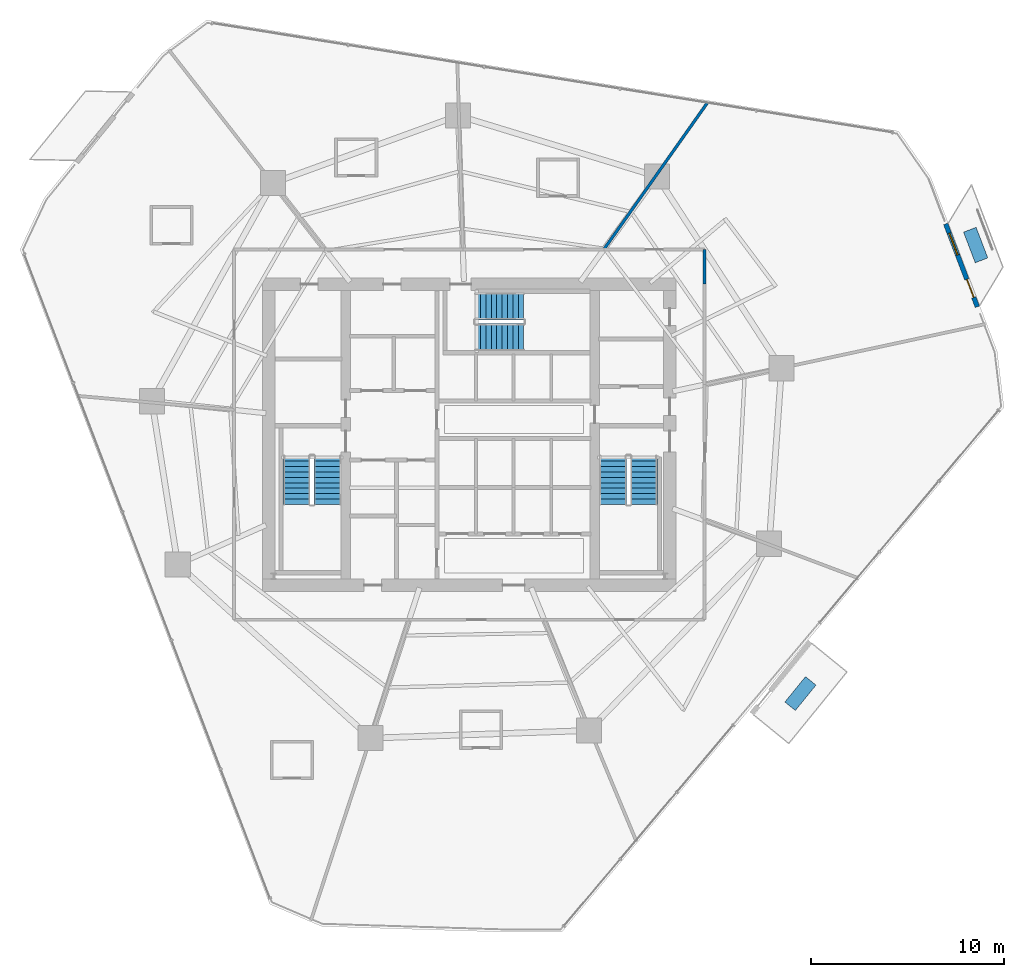
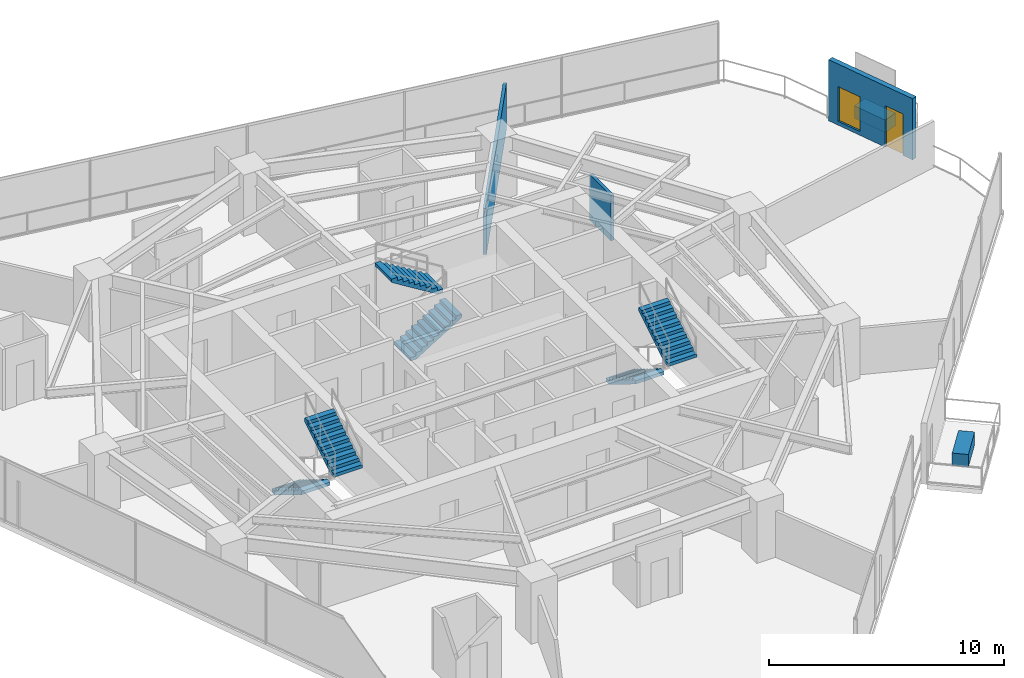
# One storey, part 27 of 31: 6 stair flights, 3 walls, 2 discrete accessories, 1 door, 1 window, 2 openings, 3 elements without a shape of their own.
"""IFC4 building model written with IfcOpenShell, lengths in metres."""

import ifcopenshell
import ifcopenshell.guid

model = None  # the IFC model being written
_history = None  # IfcOwnerHistory: only IFC2X3 demands one
_inside = {}  # id of a spatial element -> (the spatial element, [elements in it])
_under = {}  # id of a project, library or spatial element -> (it, [spatial elements below it])
_declared = {}  # id of a project -> (the project, [libraries it declares])
_typed = {}  # id of a type object -> (the type object, [elements of that type])
_made_of = {}  # id of a material, layer set ... -> (it, [elements and type objects made of it])


def new_model(schema):
    """Start an empty IFC model of exactly this schema.

    Asked for "IFC4X3", IfcOpenShell would pick the latest addendum, in which some entities
    have other attributes; the version numbers below select the first issue.
    IFC2X3 requires an IfcOwnerHistory on every rooted entity: one is made here for all.
    """
    global model, _history
    if schema == "IFC4X3":
        model = ifcopenshell.file(schema_version=(4, 3, 0, 0))
    else:
        model = ifcopenshell.file(schema=schema)
    _inside.clear()
    _under.clear()
    _declared.clear()
    _typed.clear()
    _made_of.clear()
    _history = None
    if model.schema == "IFC2X3":
        org = make("IfcOrganization", Name="unknown")
        user = make(
            "IfcPersonAndOrganization",
            ThePerson=make("IfcPerson", FamilyName="unknown"),
            TheOrganization=org,
        )
        app = make(
            "IfcApplication",
            ApplicationDeveloper=org,
            Version="unknown",
            ApplicationFullName="unknown",
            ApplicationIdentifier="unknown",
        )
        _history = make(
            "IfcOwnerHistory",
            OwningUser=user,
            OwningApplication=app,
            ChangeAction="ADDED",
            CreationDate=0,
        )
    return model


def make(cls, **values):
    """One entity of the class cls with the attributes given. An attribute that is None is left unset."""
    return model.create_entity(
        cls, **{name: value for name, value in values.items() if value is not None}
    )


def rooted(cls, **values):
    """An entity with a GlobalId (a new one), such as an element, a storey or a relation."""
    return make(cls, GlobalId=ifcopenshell.guid.new(), OwnerHistory=_history, **values)


def si_unit(unit_type, name, prefix=None):
    """IfcSIUnit, for example si_unit("LENGTHUNIT", "METRE", prefix="MILLI")."""
    return make("IfcSIUnit", UnitType=unit_type, Prefix=prefix, Name=name)


def assignment(units):
    """IfcUnitAssignment: the units of a project."""
    return None if units is None else make("IfcUnitAssignment", Units=units)


def point(xyz):
    """IfcCartesianPoint."""
    return None if xyz is None else make("IfcCartesianPoint", Coordinates=xyz)


def direction(xyz):
    """IfcDirection."""
    return None if xyz is None else make("IfcDirection", DirectionRatios=xyz)


def frame(location, z_axis=None, x_axis=None):
    """IfcAxis2Placement3D, a coordinate frame: its origin and axes. An axis left out is left unset."""
    return make(
        "IfcAxis2Placement3D",
        Location=point(location),
        Axis=direction(z_axis),
        RefDirection=direction(x_axis),
    )


def frame_2d(location, x_axis=None):
    """IfcAxis2Placement2D, a coordinate frame in the plane: its origin and x axis."""
    return make(
        "IfcAxis2Placement2D", Location=point(location), RefDirection=direction(x_axis)
    )


def origin():
    """The frame at (0, 0, 0) with its axes left unset."""
    return frame((0.0, 0.0, 0.0))


def origin_2d():
    """The frame at (0, 0) in the plane with its x axis left unset."""
    return frame_2d((0.0, 0.0))


def place(relative_to, where):
    """IfcLocalPlacement: puts the frame where relative to a parent placement (None: the world)."""
    return make(
        "IfcLocalPlacement", PlacementRelTo=relative_to, RelativePlacement=where
    )


def context(
    kind, dimensions, precision=None, world=None, true_north=None, identifier=None
):
    """IfcGeometricRepresentationContext, for example the 3D "Model" context."""
    return make(
        "IfcGeometricRepresentationContext",
        ContextIdentifier=identifier,
        ContextType=kind,
        CoordinateSpaceDimension=dimensions,
        Precision=precision,
        WorldCoordinateSystem=world,
        TrueNorth=true_north,
    )


def subcontext(parent, identifier, kind, view, scale=None):
    """IfcGeometricRepresentationSubContext, for example "Body" below "Model"."""
    return make(
        "IfcGeometricRepresentationSubContext",
        ContextIdentifier=identifier,
        ContextType=kind,
        ParentContext=parent,
        TargetScale=scale,
        TargetView=view,
    )


def project(units=None, contexts=None):
    """IfcProject with its units and contexts."""
    return rooted(
        "IfcProject",
        Name="project",
        RepresentationContexts=contexts,
        UnitsInContext=assignment(units),
    )


def spatial(cls, under=None, at=None, **own):
    """A site, building, storey or space (cls), placed at a placement, below another one or the project."""
    s = rooted(cls, ObjectPlacement=at, **own)
    if under is not None:
        _under.setdefault(under.id(), (under, []))[1].append(s)
    return s


def polyline(points):
    """IfcPolyline through the points."""
    return make("IfcPolyline", Points=[point(p) for p in points])


def profile(cls, at=None, kind="AREA", **sizes):
    """A parametric profile (cls). Its sizes go by their IFC names, for example OverallWidth=200.0."""
    return make(cls, ProfileType=kind, Position=at, **sizes)


def rectangle(**sizes):
    """IfcRectangleProfileDef."""
    return profile("IfcRectangleProfileDef", **sizes)


def outline(outer, holes=None, kind="AREA"):
    """IfcArbitraryClosedProfileDef: a profile drawn as a closed curve; with holes, ...WithVoids."""
    if holes is None:
        return make("IfcArbitraryClosedProfileDef", ProfileType=kind, OuterCurve=outer)
    return make(
        "IfcArbitraryProfileDefWithVoids",
        ProfileType=kind,
        OuterCurve=outer,
        InnerCurves=holes,
    )


def extrude(swept, where, along, depth):
    """IfcExtrudedAreaSolid: the profile swept, set in the frame where, extruded along a direction by depth."""
    return make(
        "IfcExtrudedAreaSolid",
        SweptArea=swept,
        Position=where,
        ExtrudedDirection=direction(along),
        Depth=depth,
    )


def shape(context_of_items, identifier, shape_type, items):
    """IfcShapeRepresentation: the items that make up one representation, for example the "Body"."""
    return make(
        "IfcShapeRepresentation",
        ContextOfItems=context_of_items,
        RepresentationIdentifier=identifier,
        RepresentationType=shape_type,
        Items=items,
    )


def material(Name=None, Category=None):
    """IfcMaterial."""
    return make("IfcMaterial", Name=Name, Category=Category)


def layer(
    of_material, thickness, ventilated=None, Name=None, Category=None, Priority=None
):
    """IfcMaterialLayer: one layer of a wall or slab, of a material (None: an air gap)."""
    return make(
        "IfcMaterialLayer",
        Material=of_material,
        LayerThickness=thickness,
        IsVentilated=ventilated,
        Name=Name,
        Category=Category,
        Priority=Priority,
    )


def layer_set(layers, Name=None):
    """IfcMaterialLayerSet."""
    return make("IfcMaterialLayerSet", MaterialLayers=layers, LayerSetName=Name)


def made_of(thing, what):
    """Note that an element or type object is made of a material, layer set ...; save() writes the relation."""
    if what is not None:
        _made_of.setdefault(what.id(), (what, []))[1].append(thing)
    return thing


def type_object(cls, material=None, **own):
    """A type object (cls), such as IfcWallType, which elements share."""
    return made_of(rooted(cls, **own), material)


def element(
    cls,
    number,
    at=None,
    inside=None,
    cuts=None,
    type_object=None,
    material=None,
    context=None,
    identifier="Body",
    shape_type=None,
    held_by="IfcProductDefinitionShape",
    body=None,
    shapes=None,
    **own,
):
    """One element of the class cls, such as IfcWall. Its Tag is "e" and its number.

    at: its placement. inside: the storey or other place that contains it. cuts: it is an
    opening in that element (IfcRelVoidsElement). A single representation is given by context,
    identifier, shape_type and body (its items); several are given by shapes. held_by: the class
    of the entity that holds the representations. save() writes the other relations.
    """
    e = rooted(cls, Tag="e%d" % number, ObjectPlacement=at, **own)
    if body is not None:
        shapes = [shape(context, identifier, shape_type, body)]
    if shapes is not None:
        e.Representation = make(held_by, Representations=shapes)
    if inside is not None:
        _inside.setdefault(inside.id(), (inside, []))[1].append(e)
    if cuts is not None:
        rooted(
            "IfcRelVoidsElement", RelatingBuildingElement=cuts, RelatedOpeningElement=e
        )
    if type_object is not None:
        _typed.setdefault(type_object.id(), (type_object, []))[1].append(e)
    return made_of(e, material)


def fill(opening, filler):
    """IfcRelFillsElement: the door or window that sits in an opening."""
    return rooted(
        "IfcRelFillsElement",
        RelatingOpeningElement=opening,
        RelatedBuildingElement=filler,
    )


def aggregate(whole, parts):
    """IfcRelAggregates: a whole, such as a stair, and the parts it consists of."""
    return rooted("IfcRelAggregates", RelatingObject=whole, RelatedObjects=parts)


def save(model, path):
    """Write the relations noted so far, then the file.

    IfcRelAggregates (storeys below a building ...), IfcRelContainedInSpatialStructure (elements
    in a storey), IfcRelDefinesByType, IfcRelAssociatesMaterial and IfcRelDeclares: one each for
    every whole, place, type object, material and project.
    """
    for whole, parts in _under.values():
        aggregate(whole, parts)
    for where, things in _inside.values():
        rooted(
            "IfcRelContainedInSpatialStructure",
            RelatedElements=things,
            RelatingStructure=where,
        )
    for kind, things in _typed.values():
        rooted("IfcRelDefinesByType", RelatedObjects=things, RelatingType=kind)
    for what, things in _made_of.values():
        rooted("IfcRelAssociatesMaterial", RelatedObjects=things, RelatingMaterial=what)
    for by, libraries in _declared.values():
        rooted("IfcRelDeclares", RelatingContext=by, RelatedDefinitions=libraries)
    model.write(path)


model = new_model("IFC4")

# Units and contexts
model_context = context("Model", 3, precision=1e-05, world=origin(), true_north=direction((0.0, 1.0)))
body_context = subcontext(model_context, "Body", "Model", "MODEL_VIEW")
ifc_project = project(units=[si_unit("LENGTHUNIT", "METRE"), si_unit("AREAUNIT", "SQUARE_METRE"), si_unit("VOLUMEUNIT", "CUBIC_METRE"), si_unit("PLANEANGLEUNIT", "RADIAN"), si_unit("MASSUNIT", "GRAM", prefix="KILO")], contexts=[model_context])

# Site, building, storey
site_placement = place(None, origin())
site = spatial("IfcSite", under=ifc_project, at=site_placement, CompositionType="ELEMENT")
building_placement = place(site_placement, origin())
building = spatial("IfcBuilding", under=site, at=building_placement, Name="Qarnah Convention Tower", CompositionType="ELEMENT")
storey_placement = place(building_placement, frame((0.0, 0.0, 33.89990234375)))
storey = spatial("IfcBuildingStorey", under=building, at=storey_placement, Name="L07", CompositionType="ELEMENT", Elevation=33.89990234375)

# Wall, openings, door, window
ifc_material_1 = material(Name="Precast concrete C45/55", Category="concrete")
ifc_layer_1 = layer(ifc_material_1, 0.239990234375)
ifc_layer_set_1 = layer_set([ifc_layer_1], Name="Precast concrete C45/55")
wall_type_1 = type_object("IfcWallType", Name="WL-EXT-BAL-240", PredefinedType="SOLIDWALL", material=ifc_layer_set_1)
wall_1_placement = place(storey_placement, frame((61.905029296875, 37.325927734375, 0.0), z_axis=(0.0, 0.0, 1.0), x_axis=(0.356491852151, -0.934298431632, 0.0)))
wall_1 = element("IfcWall", 1, at=wall_1_placement, inside=storey, type_object=wall_type_1, Name="L07 loggia threshold wall BAL-L07-C1", PredefinedType="SOLIDWALL", context=body_context, shape_type="SweptSolid", body=[
    extrude(rectangle(XDim=4.60009765625, YDim=0.239990234375, at=frame_2d((2.300048828125, 0.0))), origin(), (0.0, 0.0, 1.0), 3.170166015625),
])
opening_1_placement = place(wall_1_placement, frame((3.080078125, 0.0, 0.0)))
opening_1 = element("IfcOpeningElement", 2, at=opening_1_placement, cuts=wall_1, Name="Opening BD-0701", PredefinedType="OPENING", context=body_context, shape_type="SweptSolid", body=[
    extrude(rectangle(XDim=1.0, YDim=2.14990234375, at=frame_2d((0.5, 1.074951171875))), frame((0.0, 0.1298828125, 0.0), z_axis=(0.0, -1.0, 0.0), x_axis=(1.0, 0.0, 0.0)), (0.0, 0.0, 1.0), 0.260009765625),
])
opening_2_placement = place(wall_1_placement, frame((0.52001953125, 0.0, 0.199951171875)))
opening_2 = element("IfcOpeningElement", 3, at=opening_2_placement, cuts=wall_1, Name="Opening WN5", PredefinedType="OPENING", context=body_context, shape_type="SweptSolid", body=[
    extrude(rectangle(XDim=1.199951171875, YDim=1.800048828125, at=frame_2d((0.60009765625, 0.89990234375))), frame((0.0, 0.1298828125, 0.0), z_axis=(0.0, -1.0, 0.0), x_axis=(1.0, 0.0, 0.0)), (0.0, 0.0, 1.0), 0.260009765625),
])
ifc_material_2 = material(Name="Black anodised aluminium", Category="aluminium")
door_type = type_object("IfcDoorType", Name="DT-BAL-1000", OperationType="NOTDEFINED", PredefinedType="DOOR", material=ifc_material_2)
door_placement = place(opening_1_placement, origin())
door = element("IfcDoor", 4, at=door_placement, inside=storey, type_object=door_type, Name="L07 balcony terrace door BAL-L07-C1", OperationType="SINGLE_SWING_LEFT", OverallHeight=2.14990234375, OverallWidth=1.0, PredefinedType="DOOR", context=body_context, shape_type="SweptSolid", body=[
    extrude(rectangle(XDim=1.0, YDim=2.14990234375, at=frame_2d((0.5, 1.074951171875))), frame((0.0, 0.02490234375, 0.0), z_axis=(0.0, -1.0, 0.0), x_axis=(1.0, 0.0, 0.0)), (0.0, 0.0, 1.0), 0.050048828125),
])
fill(opening_1, door)
ifc_material_3 = material(Name="Tempered Low-E dark glass", Category="glass")
window_type = type_object("IfcWindowType", Name="WT-BAL-1200X1800", PartitioningType="SINGLE_PANEL", PredefinedType="WINDOW", material=ifc_material_3)
window_placement = place(opening_2_placement, origin())
window = element("IfcWindow", 5, at=window_placement, inside=storey, type_object=window_type, Name="Window BW-BAL-L07-C1", OverallHeight=1.800048828125, OverallWidth=1.199951171875, PartitioningType="SINGLE_PANEL", PredefinedType="WINDOW", context=body_context, shape_type="SweptSolid", body=[
    extrude(rectangle(XDim=1.199951171875, YDim=1.800048828125, at=frame_2d((0.60009765625, 0.89990234375))), frame((0.0, 0.030029296875, 0.0), z_axis=(0.0, -1.0, 0.0), x_axis=(1.0, 0.0, 0.0)), (0.0, 0.0, 1.0), 0.06005859375),
])
fill(opening_2, window)

# Walls
ifc_material_4 = material(Name="Gypsum partition board")
ifc_layer_2 = layer(ifc_material_4, 0.14990234375)
ifc_layer_set_2 = layer_set([ifc_layer_2], Name="Gypsum partition board")
wall_type_2 = type_object("IfcWallType", Name="WL-SUITE-150", PredefinedType="PARTITIONING", material=ifc_layer_set_2)
wall_2_placement = place(storey_placement, frame((49.580078125, 43.654052734375, 0.0), z_axis=(0.0, 0.0, 1.0), x_axis=(-0.57683765353, -0.81685881367, 0.0)))
element("IfcWall", 6, at=wall_2_placement, inside=storey, type_object=wall_type_2, Name="L07 interior wall IW-L07-R-21", PredefinedType="PARTITIONING", context=body_context, shape_type="SweptSolid", body=[
    extrude(rectangle(XDim=9.3701171875, YDim=0.14990234375, at=frame_2d((4.68505859375, 0.0))), origin(), (0.0, 0.0, 1.0), 2.39501953125),
])
wall_3_placement = place(storey_placement, frame((49.39990234375, 36.0, 0.0), z_axis=(0.0, 0.0, 1.0), x_axis=(0.0, -1.0, 0.0)))
element("IfcWall", 7, at=wall_3_placement, inside=storey, type_object=wall_type_2, Name="L07 interior wall IW-L07-R-23", PredefinedType="PARTITIONING", context=body_context, shape_type="SweptSolid", body=[
    extrude(rectangle(XDim=1.800048828125, YDim=0.14990234375, at=frame_2d((0.89990234375, 0.0))), origin(), (0.0, 0.0, 1.0), 2.35498046875),
])

# Stair, stair flights
ifc_material_5 = material(Name="Concrete C50/60", Category="concrete")
stair_type = type_object("IfcStairType", Name="STR-HTL", PredefinedType="HALF_TURN_STAIR", material=ifc_material_5)
stair_1_placement = place(storey_placement, origin())
stair_1 = element("IfcStair", 8, at=stair_1_placement, inside=storey, type_object=stair_type, Name="L07 Core exit stair ST-1", PredefinedType="HALF_TURN_STAIR")
stair_flight_type = type_object("IfcStairFlightType", Name="FLT-HTL", PredefinedType="STRAIGHT", material=ifc_material_5)
stair_flight_1_placement = place(storey_placement, frame((28.25, 25.300048828125, 0.0), z_axis=(0.0, 0.0, 1.0), x_axis=(0.0, -1.0, 0.0)))
stair_flight_1 = element("IfcStairFlight", 9, at=stair_flight_1_placement, type_object=stair_flight_type, Name="ST-1 flight 1", NumberOfRisers=10, NumberOfTreads=9, PredefinedType="STRAIGHT", RiserHeight=0.1725, TreadLength=0.28, context=body_context, shape_type="SweptSolid", body=[
    extrude(outline(polyline([(0.0, 0.0), (0.0, 0.172607421875), (0.280029296875, 0.172607421875), (0.280029296875, 0.344970703125), (0.56005859375, 0.344970703125), (0.56005859375, 0.517578125), (0.840087890625, 0.517578125), (0.840087890625, 0.68994140625), (1.1201171875, 0.68994140625), (1.1201171875, 0.862548828125), (1.39990234375, 0.862548828125), (1.39990234375, 1.034912109375), (1.679931640625, 1.034912109375), (1.679931640625, 1.20751953125), (1.9599609375, 1.20751953125), (1.9599609375, 1.3798828125), (2.239990234375, 1.3798828125), (2.239990234375, 1.552490234375), (2.52001953125, 1.552490234375), (2.52001953125, 1.72509765625), (2.52001953125, 1.37646484375), (0.285888671875, 0.0), (0.0, 0.0)])), frame((0.0, 0.699951171875, 0.0), z_axis=(0.0, -1.0, 0.0), x_axis=(1.0, 0.0, 0.0)), (0.0, 0.0, 1.0), 1.39990234375),
])
stair_flight_2_placement = place(storey_placement, frame((29.85009765625, 22.780029296875, 1.72509765625), z_axis=(0.0, 0.0, 1.0), x_axis=(0.0, 1.0, 0.0)))
stair_flight_2 = element("IfcStairFlight", 10, at=stair_flight_2_placement, type_object=stair_flight_type, Name="ST-1 flight 2", NumberOfRisers=10, NumberOfTreads=9, PredefinedType="STRAIGHT", RiserHeight=0.1725, TreadLength=0.28, context=body_context, shape_type="SweptSolid", body=[
    extrude(outline(polyline([(0.0, 0.0), (0.0, 0.172607421875), (0.280029296875, 0.172607421875), (0.280029296875, 0.344970703125), (0.56005859375, 0.344970703125), (0.56005859375, 0.517578125), (0.840087890625, 0.517578125), (0.840087890625, 0.68994140625), (1.1201171875, 0.68994140625), (1.1201171875, 0.862548828125), (1.39990234375, 0.862548828125), (1.39990234375, 1.034912109375), (1.679931640625, 1.034912109375), (1.679931640625, 1.20751953125), (1.9599609375, 1.20751953125), (1.9599609375, 1.3798828125), (2.239990234375, 1.3798828125), (2.239990234375, 1.552490234375), (2.52001953125, 1.552490234375), (2.52001953125, 1.72509765625), (2.52001953125, 1.37646484375), (0.285888671875, 0.0), (0.0, 0.0)])), frame((0.0, 0.699951171875, 0.0), z_axis=(0.0, -1.0, 0.0), x_axis=(1.0, 0.0, 0.0)), (0.0, 0.0, 1.0), 1.39990234375),
])
aggregate(stair_1, [stair_flight_1, stair_flight_2])

stair_2_placement = place(storey_placement, origin())
stair_2 = element("IfcStair", 11, at=stair_2_placement, inside=storey, type_object=stair_type, Name="L07 Core exit stair ST-2", PredefinedType="HALF_TURN_STAIR")
stair_flight_3_placement = place(storey_placement, frame((44.64990234375, 25.300048828125, 0.0), z_axis=(0.0, 0.0, 1.0), x_axis=(0.0, -1.0, 0.0)))
stair_flight_3 = element("IfcStairFlight", 12, at=stair_flight_3_placement, type_object=stair_flight_type, Name="ST-2 flight 1", NumberOfRisers=10, NumberOfTreads=9, PredefinedType="STRAIGHT", RiserHeight=0.1725, TreadLength=0.28, context=body_context, shape_type="SweptSolid", body=[
    extrude(outline(polyline([(0.0, 0.0), (0.0, 0.172607421875), (0.280029296875, 0.172607421875), (0.280029296875, 0.344970703125), (0.56005859375, 0.344970703125), (0.56005859375, 0.517578125), (0.840087890625, 0.517578125), (0.840087890625, 0.68994140625), (1.1201171875, 0.68994140625), (1.1201171875, 0.862548828125), (1.39990234375, 0.862548828125), (1.39990234375, 1.034912109375), (1.679931640625, 1.034912109375), (1.679931640625, 1.20751953125), (1.9599609375, 1.20751953125), (1.9599609375, 1.3798828125), (2.239990234375, 1.3798828125), (2.239990234375, 1.552490234375), (2.52001953125, 1.552490234375), (2.52001953125, 1.72509765625), (2.52001953125, 1.37646484375), (0.285888671875, 0.0), (0.0, 0.0)])), frame((0.0, 0.699951171875, 0.0), z_axis=(0.0, -1.0, 0.0), x_axis=(1.0, 0.0, 0.0)), (0.0, 0.0, 1.0), 1.39990234375),
])
stair_flight_4_placement = place(storey_placement, frame((46.25, 22.780029296875, 1.72509765625), z_axis=(0.0, 0.0, 1.0), x_axis=(0.0, 1.0, 0.0)))
stair_flight_4 = element("IfcStairFlight", 13, at=stair_flight_4_placement, type_object=stair_flight_type, Name="ST-2 flight 2", NumberOfRisers=10, NumberOfTreads=9, PredefinedType="STRAIGHT", RiserHeight=0.1725, TreadLength=0.28, context=body_context, shape_type="SweptSolid", body=[
    extrude(outline(polyline([(0.0, 0.0), (0.0, 0.172607421875), (0.280029296875, 0.172607421875), (0.280029296875, 0.344970703125), (0.56005859375, 0.344970703125), (0.56005859375, 0.517578125), (0.840087890625, 0.517578125), (0.840087890625, 0.68994140625), (1.1201171875, 0.68994140625), (1.1201171875, 0.862548828125), (1.39990234375, 0.862548828125), (1.39990234375, 1.034912109375), (1.679931640625, 1.034912109375), (1.679931640625, 1.20751953125), (1.9599609375, 1.20751953125), (1.9599609375, 1.3798828125), (2.239990234375, 1.3798828125), (2.239990234375, 1.552490234375), (2.52001953125, 1.552490234375), (2.52001953125, 1.72509765625), (2.52001953125, 1.37646484375), (0.285888671875, 0.0), (0.0, 0.0)])), frame((0.0, 0.699951171875, 0.0), z_axis=(0.0, -1.0, 0.0), x_axis=(1.0, 0.0, 0.0)), (0.0, 0.0, 1.0), 1.39990234375),
])
aggregate(stair_2, [stair_flight_3, stair_flight_4])

stair_3_placement = place(storey_placement, origin())
stair_3 = element("IfcStair", 14, at=stair_3_placement, inside=storey, type_object=stair_type, Name="L07 Core exit stair ST-3", PredefinedType="HALF_TURN_STAIR")
stair_flight_5_placement = place(storey_placement, frame((37.5, 31.449951171875, 0.0), z_axis=(0.0, 0.0, 1.0), x_axis=(1.0, 0.0, 0.0)))
stair_flight_5 = element("IfcStairFlight", 15, at=stair_flight_5_placement, type_object=stair_flight_type, Name="ST-3 flight 1", NumberOfRisers=10, NumberOfTreads=9, PredefinedType="STRAIGHT", RiserHeight=0.1725, TreadLength=0.28, context=body_context, shape_type="SweptSolid", body=[
    extrude(outline(polyline([(0.0, 0.0), (0.0, 0.172607421875), (0.280029296875, 0.172607421875), (0.280029296875, 0.344970703125), (0.56005859375, 0.344970703125), (0.56005859375, 0.517578125), (0.840087890625, 0.517578125), (0.840087890625, 0.68994140625), (1.1201171875, 0.68994140625), (1.1201171875, 0.862548828125), (1.39990234375, 0.862548828125), (1.39990234375, 1.034912109375), (1.679931640625, 1.034912109375), (1.679931640625, 1.20751953125), (1.9599609375, 1.20751953125), (1.9599609375, 1.3798828125), (2.239990234375, 1.3798828125), (2.239990234375, 1.552490234375), (2.52001953125, 1.552490234375), (2.52001953125, 1.72509765625), (2.52001953125, 1.37646484375), (0.285888671875, 0.0), (0.0, 0.0)])), frame((0.0, 0.699951171875, 0.0), z_axis=(0.0, -1.0, 0.0), x_axis=(1.0, 0.0, 0.0)), (0.0, 0.0, 1.0), 1.39990234375),
])
stair_flight_6_placement = place(storey_placement, frame((40.02001953125, 33.050048828125, 1.72509765625), z_axis=(0.0, 0.0, 1.0), x_axis=(-1.0, 0.0, 0.0)))
stair_flight_6 = element("IfcStairFlight", 16, at=stair_flight_6_placement, type_object=stair_flight_type, Name="ST-3 flight 2", NumberOfRisers=10, NumberOfTreads=9, PredefinedType="STRAIGHT", RiserHeight=0.1725, TreadLength=0.28, context=body_context, shape_type="SweptSolid", body=[
    extrude(outline(polyline([(0.0, 0.0), (0.0, 0.172607421875), (0.280029296875, 0.172607421875), (0.280029296875, 0.344970703125), (0.56005859375, 0.344970703125), (0.56005859375, 0.517578125), (0.840087890625, 0.517578125), (0.840087890625, 0.68994140625), (1.1201171875, 0.68994140625), (1.1201171875, 0.862548828125), (1.39990234375, 0.862548828125), (1.39990234375, 1.034912109375), (1.679931640625, 1.034912109375), (1.679931640625, 1.20751953125), (1.9599609375, 1.20751953125), (1.9599609375, 1.3798828125), (2.239990234375, 1.3798828125), (2.239990234375, 1.552490234375), (2.52001953125, 1.552490234375), (2.52001953125, 1.72509765625), (2.52001953125, 1.37646484375), (0.285888671875, 0.0), (0.0, 0.0)])), frame((0.0, 0.699951171875, 0.0), z_axis=(0.0, -1.0, 0.0), x_axis=(1.0, 0.0, 0.0)), (0.0, 0.0, 1.0), 1.39990234375),
])
aggregate(stair_3, [stair_flight_5, stair_flight_6])

# Discrete accessories
discrete_accessory_type = type_object("IfcDiscreteAccessoryType", Name="ACC-PLANTER-900", PredefinedType="USERDEFINED", material=ifc_material_1)
for number, where, z_axis, x_axis, name in (
    (17, (63.4580078125, 36.22998046875, 0.000244140625), (0.0, 0.0, 1.0), (-0.356574944447, 0.934266722619, 0.0), "L07 irrigated desert balcony PLANTER BAL-L07-C1"),
    (18, (54.37109375, 12.971923828125, 0.000244140625), (0.0, 0.0, 1.0), (0.630946660302, 0.775826212405, 0.0), "L07 irrigated desert balcony PLANTER VN-L07"),
):
    element("IfcDiscreteAccessory", number, at=place(storey_placement, frame(where, z_axis=z_axis, x_axis=x_axis)), inside=storey, type_object=discrete_accessory_type, Name=name, ObjectType="PLANTER", PredefinedType="USERDEFINED", context=body_context, shape_type="SweptSolid", body=[
        extrude(rectangle(XDim=1.699951171875, YDim=0.699951171875, at=origin_2d()), origin(), (0.0, 0.0, 1.0), 0.64990234375),
    ])

save(model, "model.ifc")
